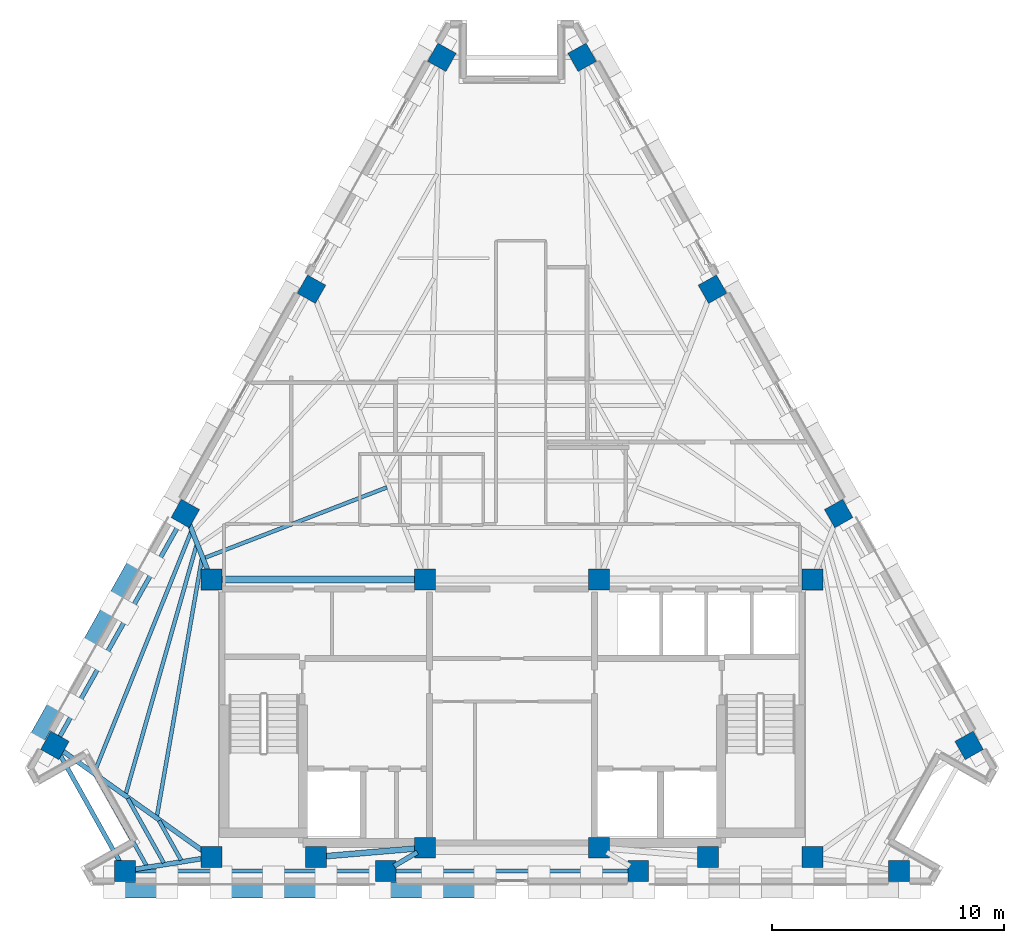
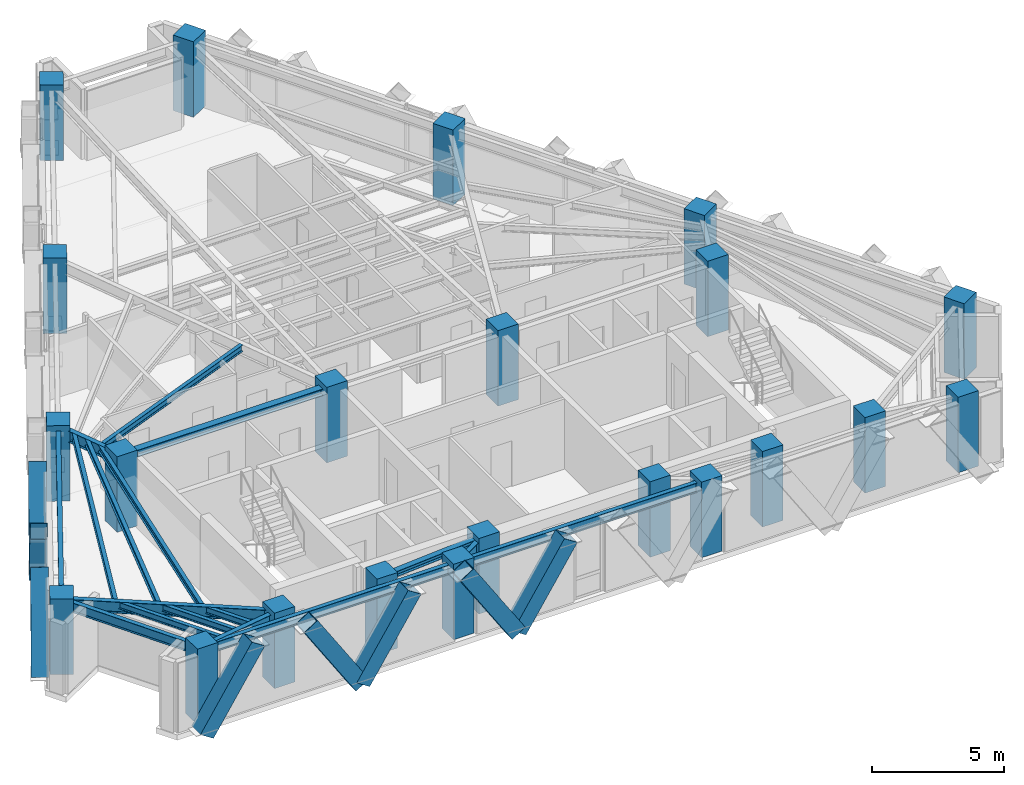
# One storey, part 1 of 12: 22 columns, 17 beams, 8 members.
"""IFC4 building model written with IfcOpenShell, lengths in metres."""

import ifcopenshell
import ifcopenshell.guid

model = None  # the IFC model being written
_history = None  # IfcOwnerHistory: only IFC2X3 demands one
_inside = {}  # id of a spatial element -> (the spatial element, [elements in it])
_under = {}  # id of a project, library or spatial element -> (it, [spatial elements below it])
_declared = {}  # id of a project -> (the project, [libraries it declares])
_typed = {}  # id of a type object -> (the type object, [elements of that type])
_made_of = {}  # id of a material, layer set ... -> (it, [elements and type objects made of it])


def new_model(schema):
    """Start an empty IFC model of exactly this schema.

    Asked for "IFC4X3", IfcOpenShell would pick the latest addendum, in which some entities
    have other attributes; the version numbers below select the first issue.
    IFC2X3 requires an IfcOwnerHistory on every rooted entity: one is made here for all.
    """
    global model, _history
    if schema == "IFC4X3":
        model = ifcopenshell.file(schema_version=(4, 3, 0, 0))
    else:
        model = ifcopenshell.file(schema=schema)
    _inside.clear()
    _under.clear()
    _declared.clear()
    _typed.clear()
    _made_of.clear()
    _history = None
    if model.schema == "IFC2X3":
        org = make("IfcOrganization", Name="unknown")
        user = make(
            "IfcPersonAndOrganization",
            ThePerson=make("IfcPerson", FamilyName="unknown"),
            TheOrganization=org,
        )
        app = make(
            "IfcApplication",
            ApplicationDeveloper=org,
            Version="unknown",
            ApplicationFullName="unknown",
            ApplicationIdentifier="unknown",
        )
        _history = make(
            "IfcOwnerHistory",
            OwningUser=user,
            OwningApplication=app,
            ChangeAction="ADDED",
            CreationDate=0,
        )
    return model


def make(cls, **values):
    """One entity of the class cls with the attributes given. An attribute that is None is left unset."""
    return model.create_entity(
        cls, **{name: value for name, value in values.items() if value is not None}
    )


def rooted(cls, **values):
    """An entity with a GlobalId (a new one), such as an element, a storey or a relation."""
    return make(cls, GlobalId=ifcopenshell.guid.new(), OwnerHistory=_history, **values)


def si_unit(unit_type, name, prefix=None):
    """IfcSIUnit, for example si_unit("LENGTHUNIT", "METRE", prefix="MILLI")."""
    return make("IfcSIUnit", UnitType=unit_type, Prefix=prefix, Name=name)


def assignment(units):
    """IfcUnitAssignment: the units of a project."""
    return None if units is None else make("IfcUnitAssignment", Units=units)


def point(xyz):
    """IfcCartesianPoint."""
    return None if xyz is None else make("IfcCartesianPoint", Coordinates=xyz)


def direction(xyz):
    """IfcDirection."""
    return None if xyz is None else make("IfcDirection", DirectionRatios=xyz)


def frame(location, z_axis=None, x_axis=None):
    """IfcAxis2Placement3D, a coordinate frame: its origin and axes. An axis left out is left unset."""
    return make(
        "IfcAxis2Placement3D",
        Location=point(location),
        Axis=direction(z_axis),
        RefDirection=direction(x_axis),
    )


def frame_2d(location, x_axis=None):
    """IfcAxis2Placement2D, a coordinate frame in the plane: its origin and x axis."""
    return make(
        "IfcAxis2Placement2D", Location=point(location), RefDirection=direction(x_axis)
    )


def origin():
    """The frame at (0, 0, 0) with its axes left unset."""
    return frame((0.0, 0.0, 0.0))


def origin_2d():
    """The frame at (0, 0) in the plane with its x axis left unset."""
    return frame_2d((0.0, 0.0))


def place(relative_to, where):
    """IfcLocalPlacement: puts the frame where relative to a parent placement (None: the world)."""
    return make(
        "IfcLocalPlacement", PlacementRelTo=relative_to, RelativePlacement=where
    )


def context(
    kind, dimensions, precision=None, world=None, true_north=None, identifier=None
):
    """IfcGeometricRepresentationContext, for example the 3D "Model" context."""
    return make(
        "IfcGeometricRepresentationContext",
        ContextIdentifier=identifier,
        ContextType=kind,
        CoordinateSpaceDimension=dimensions,
        Precision=precision,
        WorldCoordinateSystem=world,
        TrueNorth=true_north,
    )


def subcontext(parent, identifier, kind, view, scale=None):
    """IfcGeometricRepresentationSubContext, for example "Body" below "Model"."""
    return make(
        "IfcGeometricRepresentationSubContext",
        ContextIdentifier=identifier,
        ContextType=kind,
        ParentContext=parent,
        TargetScale=scale,
        TargetView=view,
    )


def project(units=None, contexts=None):
    """IfcProject with its units and contexts."""
    return rooted(
        "IfcProject",
        Name="project",
        RepresentationContexts=contexts,
        UnitsInContext=assignment(units),
    )


def spatial(cls, under=None, at=None, **own):
    """A site, building, storey or space (cls), placed at a placement, below another one or the project."""
    s = rooted(cls, ObjectPlacement=at, **own)
    if under is not None:
        _under.setdefault(under.id(), (under, []))[1].append(s)
    return s


def profile(cls, at=None, kind="AREA", **sizes):
    """A parametric profile (cls). Its sizes go by their IFC names, for example OverallWidth=200.0."""
    return make(cls, ProfileType=kind, Position=at, **sizes)


def rectangle(**sizes):
    """IfcRectangleProfileDef."""
    return profile("IfcRectangleProfileDef", **sizes)


def hollow_rectangle(**sizes):
    """IfcRectangleHollowProfileDef."""
    return profile("IfcRectangleHollowProfileDef", **sizes)


def i_section(**sizes):
    """IfcIShapeProfileDef."""
    return profile("IfcIShapeProfileDef", **sizes)


def extrude(swept, where, along, depth):
    """IfcExtrudedAreaSolid: the profile swept, set in the frame where, extruded along a direction by depth."""
    return make(
        "IfcExtrudedAreaSolid",
        SweptArea=swept,
        Position=where,
        ExtrudedDirection=direction(along),
        Depth=depth,
    )


def shape(context_of_items, identifier, shape_type, items):
    """IfcShapeRepresentation: the items that make up one representation, for example the "Body"."""
    return make(
        "IfcShapeRepresentation",
        ContextOfItems=context_of_items,
        RepresentationIdentifier=identifier,
        RepresentationType=shape_type,
        Items=items,
    )


def material(Name=None, Category=None):
    """IfcMaterial."""
    return make("IfcMaterial", Name=Name, Category=Category)


def material_profile(
    of_material, cross_section, Name=None, Category=None, Priority=None
):
    """IfcMaterialProfile: a cross section and its material."""
    return make(
        "IfcMaterialProfile",
        Name=Name,
        Material=of_material,
        Profile=cross_section,
        Priority=Priority,
        Category=Category,
    )


def profile_set(profiles, Name=None, composite=None):
    """IfcMaterialProfileSet."""
    return make(
        "IfcMaterialProfileSet",
        Name=Name,
        MaterialProfiles=profiles,
        CompositeProfile=composite,
    )


def made_of(thing, what):
    """Note that an element or type object is made of a material, layer set ...; save() writes the relation."""
    if what is not None:
        _made_of.setdefault(what.id(), (what, []))[1].append(thing)
    return thing


def type_object(cls, material=None, **own):
    """A type object (cls), such as IfcWallType, which elements share."""
    return made_of(rooted(cls, **own), material)


def element(
    cls,
    number,
    at=None,
    inside=None,
    cuts=None,
    type_object=None,
    material=None,
    context=None,
    identifier="Body",
    shape_type=None,
    held_by="IfcProductDefinitionShape",
    body=None,
    shapes=None,
    **own,
):
    """One element of the class cls, such as IfcWall. Its Tag is "e" and its number.

    at: its placement. inside: the storey or other place that contains it. cuts: it is an
    opening in that element (IfcRelVoidsElement). A single representation is given by context,
    identifier, shape_type and body (its items); several are given by shapes. held_by: the class
    of the entity that holds the representations. save() writes the other relations.
    """
    e = rooted(cls, Tag="e%d" % number, ObjectPlacement=at, **own)
    if body is not None:
        shapes = [shape(context, identifier, shape_type, body)]
    if shapes is not None:
        e.Representation = make(held_by, Representations=shapes)
    if inside is not None:
        _inside.setdefault(inside.id(), (inside, []))[1].append(e)
    if cuts is not None:
        rooted(
            "IfcRelVoidsElement", RelatingBuildingElement=cuts, RelatedOpeningElement=e
        )
    if type_object is not None:
        _typed.setdefault(type_object.id(), (type_object, []))[1].append(e)
    return made_of(e, material)


def aggregate(whole, parts):
    """IfcRelAggregates: a whole, such as a stair, and the parts it consists of."""
    return rooted("IfcRelAggregates", RelatingObject=whole, RelatedObjects=parts)


def save(model, path):
    """Write the relations noted so far, then the file.

    IfcRelAggregates (storeys below a building ...), IfcRelContainedInSpatialStructure (elements
    in a storey), IfcRelDefinesByType, IfcRelAssociatesMaterial and IfcRelDeclares: one each for
    every whole, place, type object, material and project.
    """
    for whole, parts in _under.values():
        aggregate(whole, parts)
    for where, things in _inside.values():
        rooted(
            "IfcRelContainedInSpatialStructure",
            RelatedElements=things,
            RelatingStructure=where,
        )
    for kind, things in _typed.values():
        rooted("IfcRelDefinesByType", RelatedObjects=things, RelatingType=kind)
    for what, things in _made_of.values():
        rooted("IfcRelAssociatesMaterial", RelatedObjects=things, RelatingMaterial=what)
    for by, libraries in _declared.values():
        rooted("IfcRelDeclares", RelatingContext=by, RelatedDefinitions=libraries)
    model.write(path)


model = new_model("IFC4")

# Units and contexts
model_context = context("Model", 3, precision=1e-05, world=origin(), true_north=direction((0.0, 1.0)))
body_context = subcontext(model_context, "Body", "Model", "MODEL_VIEW")
ifc_project = project(units=[si_unit("LENGTHUNIT", "METRE"), si_unit("AREAUNIT", "SQUARE_METRE"), si_unit("VOLUMEUNIT", "CUBIC_METRE"), si_unit("PLANEANGLEUNIT", "RADIAN"), si_unit("MASSUNIT", "GRAM", prefix="KILO")], contexts=[model_context])

# Site, building, storey
site_placement = place(None, origin())
site = spatial("IfcSite", under=ifc_project, at=site_placement, CompositionType="ELEMENT")
building_placement = place(site_placement, origin())
building = spatial("IfcBuilding", under=site, at=building_placement, Name="Quenlor Broadcast Tower", CompositionType="ELEMENT")
storey_placement = place(building_placement, frame((0.0, 0.0, 221.89990234375)))
storey = spatial("IfcBuildingStorey", under=building, at=storey_placement, Name="L61", CompositionType="ELEMENT", Elevation=221.89990234375)

# Columns
ifc_material_1 = material(Name="Concrete C50/60", Category="concrete")
ifc_material_profile_1 = material_profile(ifc_material_1, rectangle(XDim=0.89990234375, YDim=0.89990234375, at=origin_2d()))
ifc_profile_set_1 = profile_set([ifc_material_profile_1], Name="Concrete C50/60 RC900x900")
column_type_1 = type_object("IfcColumnType", Name="Core Corner Column Upper Concrete C50/60 900", PredefinedType="COLUMN", material=ifc_profile_set_1)
for number, where, z_axis, x_axis, name in (
    (1, (-12.949951171875, -16.75, 0.0), (0.0, 0.0, 1.0), (1.0, 0.0, 0.0), "L61 Core Column CC1"),
    (2, (-8.449951171875, -16.75, 0.0), (0.0, 0.0, 1.0), (1.0, 0.0, 0.0), "L61 Core Column CC2"),
    (3, (-3.75, -16.35009765625, 0.0), (0.0, 0.0, 1.0), (1.0, 0.0, 0.0), "L61 Core Column CC3"),
    (4, (3.75, -16.35009765625, 0.0), (0.0, 0.0, 1.0), (1.0, 0.0, 0.0), "L61 Core Column CC4"),
    (5, (8.449951171875, -16.75, 0.0), (0.0, 0.0, 1.0), (1.0, 0.0, 0.0), "L61 Core Column CC5"),
    (6, (12.949951171875, -16.75, 0.0), (0.0, 0.0, 1.0), (1.0, 0.0, 0.0), "L61 Core Column CC6"),
    (7, (-12.949951171875, -4.800048828125, 0.0), (0.0, 0.0, 1.0), (1.0, 0.0, 0.0), "L61 Core Column CC7"),
    (8, (-3.75, -4.800048828125, 0.0), (0.0, 0.0, 1.0), (1.0, 0.0, 0.0), "L61 Core Column CC8"),
    (9, (3.75, -4.800048828125, 0.0), (0.0, 0.0, 1.0), (1.0, 0.0, 0.0), "L61 Core Column CC9"),
    (10, (12.949951171875, -4.800048828125, 0.0), (0.0, 0.0, 1.0), (1.0, 0.0, 0.0), "L61 Core Column CC10"),
):
    element("IfcColumn", number, at=place(storey_placement, frame(where, z_axis=z_axis, x_axis=x_axis)), inside=storey, type_object=column_type_1, Name=name, PredefinedType="COLUMN", context=body_context, shape_type="SweptSolid", body=[
        extrude(rectangle(XDim=0.89990234375, YDim=0.89990234375, at=origin_2d()), origin(), (0.0, 0.0, 1.0), 3.5),
    ])
ifc_material_2 = material(Name="Concrete C50/60", Category="concrete")
ifc_material_profile_2 = material_profile(ifc_material_2, rectangle(XDim=0.89990234375, YDim=0.89990234375, at=origin_2d()))
ifc_profile_set_2 = profile_set([ifc_material_profile_2], Name="Concrete C50/60 RC900x900")
column_type_2 = type_object("IfcColumnType", Name="Tower Perimeter Column Z4 Concrete C50/60 900", PredefinedType="COLUMN", material=ifc_profile_set_2)
for number, where, z_axis, x_axis, name in (
    (11, (-16.67578125, -17.35009765625, 0.0), (0.0, 0.0, 1.0), (0.0, 1.0, 0.0), "L61 Perimeter Column S1"),
    (12, (-5.437744140625, -17.35009765625, 0.0), (0.0, 0.0, 1.0), (0.0, 1.0, 0.0), "L61 Perimeter Column S2"),
    (13, (5.437744140625, -17.35009765625, 0.0), (0.0, 0.0, 1.0), (0.0, 1.0, 0.0), "L61 Perimeter Column S3"),
    (14, (16.67578125, -17.35009765625, 0.0), (0.0, 0.0, 1.0), (0.0, 1.0, 0.0), "L61 Perimeter Column S4"),
    (15, (19.696533203125, -11.941650390625, 0.0), (0.0, 0.0, 1.0), (0.871575139605, 0.490261946333, 0.0), "L61 Perimeter Column NE1"),
    (16, (14.077392578125, -1.952392578125, 0.0), (0.0, 0.0, 1.0), (0.871575139605, 0.490261946333, 0.0), "L61 Perimeter Column NE2"),
    (17, (8.6396484375, 7.71484375, 0.0), (0.0, 0.0, 1.0), (0.871575139605, 0.490261946333, 0.0), "L61 Perimeter Column NE3"),
    (18, (3.0205078125, 17.704345703125, 0.0), (0.0, 0.0, 1.0), (0.871575139605, 0.490261946333, 0.0), "L61 Perimeter Column NE4"),
    (19, (-3.0205078125, 17.704345703125, 0.0), (0.0, 0.0, 1.0), (-0.871575139605, 0.490261946333, 0.0), "L61 Perimeter Column NW1"),
    (20, (-8.6396484375, 7.71484375, 0.0), (0.0, 0.0, 1.0), (-0.871575139605, 0.490261946333, 0.0), "L61 Perimeter Column NW2"),
    (21, (-14.077392578125, -1.952392578125, 0.0), (0.0, 0.0, 1.0), (-0.871575139605, 0.490261946333, 0.0), "L61 Perimeter Column NW3"),
    (22, (-19.696533203125, -11.941650390625, 0.0), (0.0, 0.0, 1.0), (-0.871575139605, 0.490261946333, 0.0), "L61 Perimeter Column NW4"),
):
    element("IfcColumn", number, at=place(storey_placement, frame(where, z_axis=z_axis, x_axis=x_axis)), inside=storey, type_object=column_type_2, Name=name, PredefinedType="COLUMN", context=body_context, shape_type="SweptSolid", body=[
        extrude(rectangle(XDim=0.89990234375, YDim=0.89990234375, at=origin_2d()), origin(), (0.0, 0.0, 1.0), 3.5),
    ])

# Beams
ifc_material_3 = material(Name="Steel S355", Category="steel")
ifc_material_profile_3 = material_profile(ifc_material_3, i_section(OverallWidth=0.25390625, OverallDepth=0.25390625, WebThickness=0.008544921875, FlangeThickness=0.01416015625, FilletRadius=0.013916015625, at=origin_2d()))
ifc_profile_set_3 = profile_set([ifc_material_profile_3], Name="Steel S355 250UC72.9")
beam_type_1 = type_object("IfcBeamType", Name="Core Opening Lintel Beam Steel S355 250UC72.9", PredefinedType="LINTEL", material=ifc_profile_set_3)
beam_1_placement = place(storey_placement, frame((-8.09130859375, -16.719482421875, 3.123291015625), z_axis=(0.996399763903, 0.084779186679, 0.0), x_axis=(-0.084779186679, 0.996399763903, 0.0)))
element("IfcBeam", 23, at=beam_1_placement, inside=storey, type_object=beam_type_1, Name="L61 Core Opening Lintel Beam 4", PredefinedType="LINTEL", context=body_context, shape_type="SweptSolid", body=[
    extrude(i_section(OverallWidth=0.25390625, OverallDepth=0.25390625, WebThickness=0.008544921875, FlangeThickness=0.01416015625, FilletRadius=0.013916015625, at=origin_2d()), origin(), (0.0, 0.0, 1.0), 3.9970703125),
])
ifc_material_4 = material(Name="Steel S355", Category="steel")
ifc_material_profile_4 = material_profile(ifc_material_4, i_section(OverallWidth=0.306884765625, OverallDepth=0.314697265625, WebThickness=0.011962890625, FlangeThickness=0.018798828125, FilletRadius=0.0166015625, at=origin_2d()))
ifc_profile_set_4 = profile_set([ifc_material_profile_4], Name="Steel S355 310UC118")
beam_type_2 = type_object("IfcBeamType", Name="Core Tie Beam Steel S355 310UC118", PredefinedType="BEAM", material=ifc_profile_set_4)
beam_2_placement = place(storey_placement, frame((-12.590087890625, -4.800048828125, 3.0927734375), z_axis=(1.0, 0.0, 0.0), x_axis=(0.0, 1.0, 0.0)))
element("IfcBeam", 24, at=beam_2_placement, inside=storey, type_object=beam_type_2, Name="L61 Core Tie Beam 1", PredefinedType="BEAM", context=body_context, shape_type="SweptSolid", body=[
    extrude(i_section(OverallWidth=0.306884765625, OverallDepth=0.314697265625, WebThickness=0.011962890625, FlangeThickness=0.018798828125, FilletRadius=0.0166015625, at=origin_2d()), origin(), (0.0, 0.0, 1.0), 8.47998046875),
])

# Members
ifc_material_5 = material(Name="Steel S355", Category="steel")
ifc_material_profile_5 = material_profile(ifc_material_5, hollow_rectangle(XDim=0.679931640625, YDim=0.679931640625, WallThickness=0.02490234375, at=origin_2d()))
ifc_profile_set_5 = profile_set([ifc_material_profile_5], Name="Steel S355 RHS680x680x25")
member_type = type_object("IfcMemberType", Name="Perimeter Diagonal Lattice Brace Z3-Z4 Steel S355 RHS680x25", PredefinedType="BRACE", material=ifc_profile_set_5)
for number, where, z_axis, x_axis, name in (
    (25, (-3.41162109375, -18.169921875, -0.119873046875), (0.541794306908, 0.0, 0.840511111766), (0.0, 1.0, 0.0), "L61 Perimeter Diamond Lattice S-C3B"),
    (26, (-3.43896484375, -18.169921875, -0.119873046875), (-0.541794306908, 0.0, 0.840511111766), (0.0, -1.0, 0.0), "L61 Perimeter Diamond Lattice S-C4S"),
    (27, (-10.261962890625, -18.169921875, -0.119873046875), (0.541794306908, 0.0, 0.840511111766), (0.0, 1.0, 0.0), "L61 Perimeter Diamond Lattice S-C4B"),
    (28, (-10.289306640625, -18.169921875, -0.119873046875), (-0.541794306908, 0.0, 0.840511111766), (0.0, -1.0, 0.0), "L61 Perimeter Diamond Lattice S-C5S"),
    (29, (-17.1123046875, -18.169921875, -0.119873046875), (0.541794306908, 0.0, 0.840511111766), (0.0, 1.0, 0.0), "L61 Perimeter Diamond Lattice S-C5B"),
):
    element("IfcMember", number, at=place(storey_placement, frame(where, z_axis=z_axis, x_axis=x_axis)), inside=storey, type_object=member_type, Name=name, PredefinedType="BRACE", context=body_context, shape_type="SweptSolid", body=[
        extrude(hollow_rectangle(XDim=0.679931640625, YDim=0.679931640625, WallThickness=0.02490234375, at=origin_2d()), origin(), (0.0, 0.0, 1.0), 4.1640625),
    ])
member_1_placement = place(storey_placement, frame((-20.63916015625, -11.94482421875, -0.119873046875), z_axis=(0.269547055694, 0.479136497832, 0.835327840559), x_axis=(-0.871550060774, 0.49030652817, 0.0)))
element("IfcMember", 30, at=member_1_placement, inside=storey, type_object=member_type, Name="L61 Perimeter Diamond Lattice NW-C1S", PredefinedType="BRACE", context=body_context, shape_type="SweptSolid", body=[
    extrude(hollow_rectangle(XDim=0.679931640625, YDim=0.679931640625, WallThickness=0.02490234375, at=origin_2d()), origin(), (0.0, 0.0, 1.0), 4.18994140625),
])
member_2_placement = place(storey_placement, frame((-17.2236328125, -5.873046875, -0.119873046875), z_axis=(-0.269539530269, -0.479181387144, 0.835304519224), x_axis=(0.871575537125, -0.490261239633, 0.0)))
element("IfcMember", 31, at=member_2_placement, inside=storey, type_object=member_type, Name="L61 Perimeter Diamond Lattice NW-C1B", PredefinedType="BRACE", context=body_context, shape_type="SweptSolid", body=[
    extrude(hollow_rectangle(XDim=0.679931640625, YDim=0.679931640625, WallThickness=0.02490234375, at=origin_2d()), origin(), (0.0, 0.0, 1.0), 4.190185546875),
])
member_3_placement = place(storey_placement, frame((-17.2099609375, -5.8486328125, -0.119873046875), z_axis=(0.269547055694, 0.479136497832, 0.835327840559), x_axis=(-0.871550060774, 0.49030652817, 0.0)))
element("IfcMember", 32, at=member_3_placement, inside=storey, type_object=member_type, Name="L61 Perimeter Diamond Lattice NW-C2S", PredefinedType="BRACE", context=body_context, shape_type="SweptSolid", body=[
    extrude(hollow_rectangle(XDim=0.679931640625, YDim=0.679931640625, WallThickness=0.02490234375, at=origin_2d()), origin(), (0.0, 0.0, 1.0), 4.18994140625),
])

# Beams
ifc_material_6 = material(Name="Steel S355", Category="steel")
ifc_material_profile_6 = material_profile(ifc_material_6, i_section(OverallWidth=0.18994140625, OverallDepth=0.453857421875, WebThickness=0.008544921875, FlangeThickness=0.0126953125, FilletRadius=0.011474609375, at=origin_2d()))
ifc_profile_set_6 = profile_set([ifc_material_profile_6], Name="Steel S355 460UB67.1")
beam_type_3 = type_object("IfcBeamType", Name="Perimeter Spandrel Beam Z4 Steel S355 460UB67.1", PredefinedType="SPANDREL", material=ifc_profile_set_6)
beam_3_placement = place(storey_placement, frame((-16.265869140625, -17.35009765625, 3.023193359375), z_axis=(1.0, 0.0, 0.0), x_axis=(0.0, 1.0, 0.0)))
element("IfcBeam", 33, at=beam_3_placement, inside=storey, type_object=beam_type_3, Name="L61 Spandrel Beam S1-S2", PredefinedType="SPANDREL", context=body_context, shape_type="SweptSolid", body=[
    extrude(i_section(OverallWidth=0.18994140625, OverallDepth=0.453857421875, WebThickness=0.008544921875, FlangeThickness=0.0126953125, FilletRadius=0.011474609375, at=origin_2d()), origin(), (0.0, 0.0, 1.0), 10.41796875),
])
beam_4_placement = place(storey_placement, frame((-5.02783203125, -17.35009765625, 3.023193359375), z_axis=(1.0, 0.0, 0.0), x_axis=(0.0, 1.0, 0.0)))
element("IfcBeam", 34, at=beam_4_placement, inside=storey, type_object=beam_type_3, Name="L61 Spandrel Beam S2-S3", PredefinedType="SPANDREL", context=body_context, shape_type="SweptSolid", body=[
    extrude(i_section(OverallWidth=0.18994140625, OverallDepth=0.453857421875, WebThickness=0.008544921875, FlangeThickness=0.0126953125, FilletRadius=0.011474609375, at=origin_2d()), origin(), (0.0, 0.0, 1.0), 10.0556640625),
])
beam_5_placement = place(storey_placement, frame((-14.2783203125, -2.3095703125, 3.023193359375), z_axis=(-0.490272131974, -0.871569410093, 0.0), x_axis=(0.871569410093, -0.490272131974, 0.0)))
element("IfcBeam", 35, at=beam_5_placement, inside=storey, type_object=beam_type_3, Name="L61 Spandrel Beam NW3-NW4", PredefinedType="SPANDREL", context=body_context, shape_type="SweptSolid", body=[
    extrude(i_section(OverallWidth=0.18994140625, OverallDepth=0.453857421875, WebThickness=0.008544921875, FlangeThickness=0.0126953125, FilletRadius=0.011474609375, at=origin_2d()), origin(), (0.0, 0.0, 1.0), 10.6416015625),
])
beam_6_placement = place(storey_placement, frame((-19.49658203125, -12.2998046875, 3.023193359375), z_axis=(0.487647250206, -0.8730407547, 0.0), x_axis=(0.8730407547, 0.487647250206, 0.0)))
element("IfcBeam", 36, at=beam_6_placement, inside=storey, type_object=beam_type_3, Name="L61 Spandrel Beam NW4-S1", PredefinedType="SPANDREL", context=body_context, shape_type="SweptSolid", body=[
    extrude(i_section(OverallWidth=0.18994140625, OverallDepth=0.453857421875, WebThickness=0.008544921875, FlangeThickness=0.0126953125, FilletRadius=0.011474609375, at=origin_2d()), origin(), (0.0, 0.0, 1.0), 5.37451171875),
])
ifc_material_7 = material(Name="Steel S355", Category="steel")
ifc_material_profile_7 = material_profile(ifc_material_7, i_section(OverallWidth=0.166015625, OverallDepth=0.30712890625, WebThickness=0.006591796875, FlangeThickness=0.01171875, FilletRadius=0.011474609375, at=origin_2d()))
ifc_profile_set_7 = profile_set([ifc_material_profile_7], Name="Steel S355 310UB46.2")
beam_type_4 = type_object("IfcBeamType", Name="Tower Composite Joist Z4-Z5 Steel S355 310UB46.2", PredefinedType="JOIST", material=ifc_profile_set_7)
beam_7_placement = place(storey_placement, frame((-13.236083984375, -3.85986328125, 3.096435546875), z_axis=(0.932639299023, 0.360810113381, 0.0), x_axis=(-0.360810113381, 0.932639299023, 0.0)))
element("IfcBeam", 37, at=beam_7_placement, inside=storey, type_object=beam_type_4, Name="L61 Secondary Composite Joist 7", PredefinedType="JOIST", context=body_context, shape_type="SweptSolid", body=[
    extrude(i_section(OverallWidth=0.166015625, OverallDepth=0.30712890625, WebThickness=0.006591796875, FlangeThickness=0.01171875, FilletRadius=0.011474609375, at=origin_2d()), origin(), (0.0, 0.0, 1.0), 8.413330078125),
])
beam_8_placement = place(storey_placement, frame((-15.297607421875, -14.98828125, 3.096435546875), z_axis=(0.172003691938, 0.985096304916, 0.0), x_axis=(-0.985096304916, 0.172003691938, 0.0)))
element("IfcBeam", 38, at=beam_8_placement, inside=storey, type_object=beam_type_4, Name="L61 Secondary Composite Joist 13", PredefinedType="JOIST", context=body_context, shape_type="SweptSolid", body=[
    extrude(i_section(OverallWidth=0.166015625, OverallDepth=0.30712890625, WebThickness=0.006591796875, FlangeThickness=0.01171875, FilletRadius=0.011474609375, at=origin_2d()), origin(), (0.0, 0.0, 1.0), 11.274169921875),
])
beam_9_placement = place(storey_placement, frame((-16.638671875, -14.028564453125, 3.096435546875), z_axis=(0.273447576454, 0.961886907558, 0.0), x_axis=(-0.961886907558, 0.273447576454, 0.0)))
element("IfcBeam", 39, at=beam_9_placement, inside=storey, type_object=beam_type_4, Name="L61 Secondary Composite Joist 14", PredefinedType="JOIST", context=body_context, shape_type="SweptSolid", body=[
    extrude(i_section(OverallWidth=0.166015625, OverallDepth=0.30712890625, WebThickness=0.006591796875, FlangeThickness=0.01171875, FilletRadius=0.011474609375, at=origin_2d()), origin(), (0.0, 0.0, 1.0), 11.142333984375),
])
beam_10_placement = place(storey_placement, frame((-17.97998046875, -13.069580078125, 3.096435546875), z_axis=(0.373094895103, 0.927793187757, 0.0), x_axis=(-0.927793187757, 0.373094895103, 0.0)))
element("IfcBeam", 40, at=beam_10_placement, inside=storey, type_object=beam_type_4, Name="L61 Secondary Composite Joist 15", PredefinedType="JOIST", context=body_context, shape_type="SweptSolid", body=[
    extrude(i_section(OverallWidth=0.166015625, OverallDepth=0.30712890625, WebThickness=0.006591796875, FlangeThickness=0.01171875, FilletRadius=0.011474609375, at=origin_2d()), origin(), (0.0, 0.0, 1.0), 11.13525390625),
])
beam_11_placement = place(storey_placement, frame((-14.255859375, -16.88427734375, 3.096435546875), z_axis=(-0.487590799665, 0.873072283423, 0.0), x_axis=(-0.873072283423, -0.487590799665, 0.0)))
element("IfcBeam", 41, at=beam_11_placement, inside=storey, type_object=beam_type_4, Name="L61 Secondary Composite Joist 19", PredefinedType="JOIST", context=body_context, shape_type="SweptSolid", body=[
    extrude(i_section(OverallWidth=0.166015625, OverallDepth=0.30712890625, WebThickness=0.006591796875, FlangeThickness=0.01171875, FilletRadius=0.011474609375, at=origin_2d()), origin(), (0.0, 0.0, 1.0), 1.9462890625),
])
beam_12_placement = place(storey_placement, frame((-15.0009765625, -17.004150390625, 3.096435546875), z_axis=(-0.487646119388, 0.87304138633, 0.0), x_axis=(-0.87304138633, -0.487646119388, 0.0)))
element("IfcBeam", 42, at=beam_12_placement, inside=storey, type_object=beam_type_4, Name="L61 Secondary Composite Joist 20", PredefinedType="JOIST", context=body_context, shape_type="SweptSolid", body=[
    extrude(i_section(OverallWidth=0.166015625, OverallDepth=0.30712890625, WebThickness=0.006591796875, FlangeThickness=0.01171875, FilletRadius=0.011474609375, at=origin_2d()), origin(), (0.0, 0.0, 1.0), 3.18505859375),
])
beam_13_placement = place(storey_placement, frame((-15.74609375, -17.124267578125, 3.096435546875), z_axis=(-0.487604899573, 0.873064408799, 0.0), x_axis=(-0.873064408799, -0.487604899573, 0.0)))
element("IfcBeam", 43, at=beam_13_placement, inside=storey, type_object=beam_type_4, Name="L61 Secondary Composite Joist 21", PredefinedType="JOIST", context=body_context, shape_type="SweptSolid", body=[
    extrude(i_section(OverallWidth=0.166015625, OverallDepth=0.30712890625, WebThickness=0.006591796875, FlangeThickness=0.01171875, FilletRadius=0.011474609375, at=origin_2d()), origin(), (0.0, 0.0, 1.0), 4.424072265625),
])
ifc_material_8 = material(Name="Steel S355", Category="steel")
ifc_material_profile_8 = material_profile(ifc_material_8, i_section(OverallWidth=0.208984375, OverallDepth=0.5283203125, WebThickness=0.009521484375, FlangeThickness=0.01318359375, FilletRadius=0.013916015625, at=origin_2d()))
ifc_profile_set_8 = profile_set([ifc_material_profile_8], Name="Steel S355 530UB82.0")
beam_type_5 = type_object("IfcBeamType", Name="Tower Primary Floor Beam Z4 Steel S355 530UB82.0", PredefinedType="BEAM", material=ifc_profile_set_8)
beam_14_placement = place(storey_placement, frame((-16.27099609375, -17.284912109375, 2.986083984375), z_axis=(0.987268490875, 0.159062650942, 0.0), x_axis=(-0.159062650942, 0.987268490875, 0.0)))
element("IfcBeam", 44, at=beam_14_placement, inside=storey, type_object=beam_type_5, Name="L61 Primary Radial Beam S1", PredefinedType="BEAM", context=body_context, shape_type="SweptSolid", body=[
    extrude(i_section(OverallWidth=0.208984375, OverallDepth=0.5283203125, WebThickness=0.009521484375, FlangeThickness=0.01318359375, FilletRadius=0.013916015625, at=origin_2d()), origin(), (0.0, 0.0, 1.0), 2.98388671875),
])
beam_15_placement = place(storey_placement, frame((-5.085205078125, -17.14111328125, 2.986083984375), z_axis=(0.86032875258, 0.509739578102, 0.0), x_axis=(-0.509739578102, 0.86032875258, 0.0)))
element("IfcBeam", 45, at=beam_15_placement, inside=storey, type_object=beam_type_5, Name="L61 Primary Radial Beam S2", PredefinedType="BEAM", context=body_context, shape_type="SweptSolid", body=[
    extrude(i_section(OverallWidth=0.208984375, OverallDepth=0.5283203125, WebThickness=0.009521484375, FlangeThickness=0.01318359375, FilletRadius=0.013916015625, at=origin_2d()), origin(), (0.0, 0.0, 1.0), 1.171875),
])
beam_16_placement = place(storey_placement, frame((-13.926513671875, -2.33349609375, 2.986083984375), z_axis=(0.368110359783, -0.92978210513, 0.0), x_axis=(0.92978210513, 0.368110359783, 0.0)))
element("IfcBeam", 46, at=beam_16_placement, inside=storey, type_object=beam_type_5, Name="L61 Primary Radial Beam NW3", PredefinedType="BEAM", context=body_context, shape_type="SweptSolid", body=[
    extrude(i_section(OverallWidth=0.208984375, OverallDepth=0.5283203125, WebThickness=0.009521484375, FlangeThickness=0.01318359375, FilletRadius=0.013916015625, at=origin_2d()), origin(), (0.0, 0.0, 1.0), 2.27294921875),
])
beam_17_placement = place(storey_placement, frame((-19.362548828125, -12.1796875, 2.986083984375), z_axis=(0.814329531787, -0.580402802938, 0.0), x_axis=(0.580402802938, 0.814329531787, 0.0)))
element("IfcBeam", 47, at=beam_17_placement, inside=storey, type_object=beam_type_5, Name="L61 Primary Radial Beam NW4", PredefinedType="BEAM", context=body_context, shape_type="SweptSolid", body=[
    extrude(i_section(OverallWidth=0.208984375, OverallDepth=0.5283203125, WebThickness=0.009521484375, FlangeThickness=0.01318359375, FilletRadius=0.013916015625, at=origin_2d()), origin(), (0.0, 0.0, 1.0), 7.49462890625),
])

save(model, "model.ifc")
